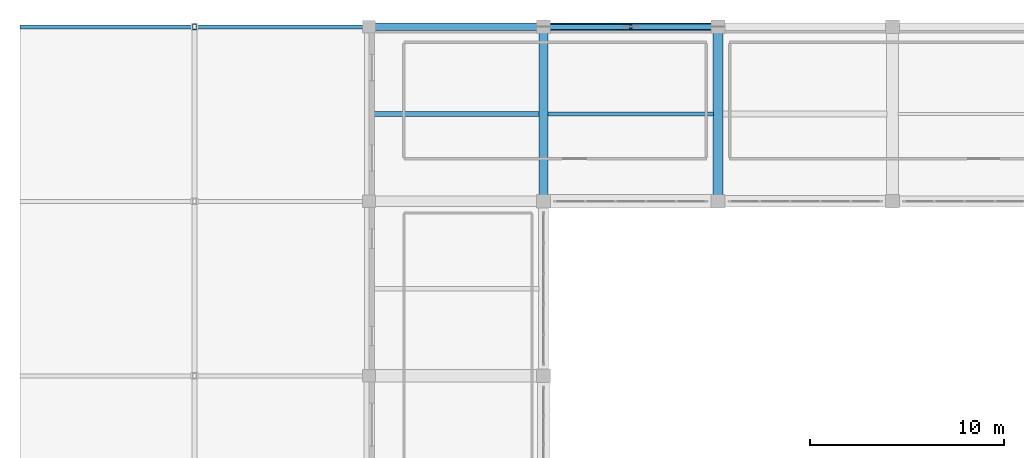
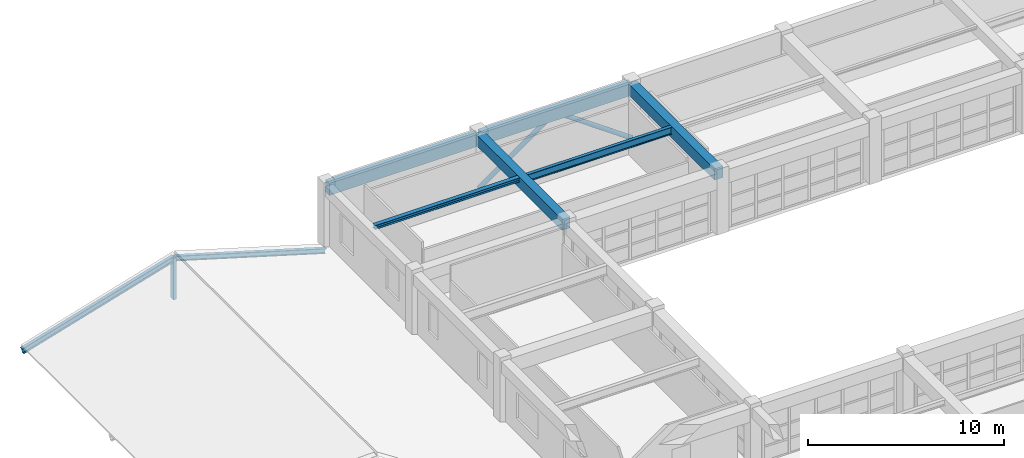
# One storey, part 62 of 130: 6 beams, 5 members.
"""IFC4 building model written with IfcOpenShell, lengths in metres."""

from ifc_helpers import new_model, si_unit, direction, frame, origin, origin_2d, place, context, subcontext, project, spatial, rectangle, hollow_rectangle, hollow_circle, i_section, extrude, material, material_profile, profile_set, type_object, element, save


model = new_model("IFC4")

# Units and contexts
model_context = context("Model", 3, precision=1e-05, world=origin(), true_north=direction((0.0, 1.0)))
body_context = subcontext(model_context, "Body", "Model", "MODEL_VIEW")
ifc_project = project(units=[si_unit("LENGTHUNIT", "METRE"), si_unit("AREAUNIT", "SQUARE_METRE"), si_unit("VOLUMEUNIT", "CUBIC_METRE"), si_unit("PLANEANGLEUNIT", "RADIAN"), si_unit("MASSUNIT", "GRAM", prefix="KILO")], contexts=[model_context])

# Site, building, storey
site_placement = place(None, origin())
site = spatial("IfcSite", under=ifc_project, at=site_placement, CompositionType="ELEMENT")
building_placement = place(site_placement, origin())
building = spatial("IfcBuilding", under=site, at=building_placement, Name="Miravela Opera House", CompositionType="ELEMENT")
storey_placement = place(building_placement, frame((0.0, 0.0, 9.52001953125)))
storey = spatial("IfcBuildingStorey", under=building, at=storey_placement, Name="L02", CompositionType="ELEMENT", Elevation=9.52001953125)

# Beams
ifc_material_1 = material(Name="Concrete C35/45", Category="concrete")
ifc_material_profile_1 = material_profile(ifc_material_1, rectangle(XDim=0.47998046875, YDim=0.679931640625, at=origin_2d()), Name="RC-BM-480X680")
ifc_profile_set_1 = profile_set([ifc_material_profile_1])
beam_type_1 = type_object("IfcBeamType", Name="STR-BM-RC480X680", PredefinedType="BEAM", material=ifc_profile_set_1)
beam_1_placement = place(storey_placement, frame((27.0, 103.080078125, 3.5), z_axis=(0.0, 1.0, 0.0), x_axis=(-1.0, 0.0, 0.0)))
element("IfcBeam", 1, at=beam_1_placement, inside=storey, type_object=beam_type_1, Name="Floor Girder L02 4/L-M", PredefinedType="BEAM", context=body_context, shape_type="SweptSolid", body=[
    extrude(rectangle(XDim=0.47998046875, YDim=0.679931640625, at=origin_2d()), origin(), (0.0, 0.0, 1.0), 8.83984375),
])
ifc_material_profile_2 = material_profile(ifc_material_1, rectangle(XDim=0.5, YDim=0.699951171875, at=origin_2d()), Name="RC-BM-500X700")
ifc_profile_set_2 = profile_set([ifc_material_profile_2])
beam_type_2 = type_object("IfcBeamType", Name="STR-BM-RC500X700", PredefinedType="BEAM", material=ifc_profile_set_2)
beam_2_placement = place(storey_placement, frame((36.0, 103.080078125, 3.489990234375), z_axis=(0.0, 1.0, 0.0), x_axis=(-1.0, 0.0, 0.0)))
element("IfcBeam", 2, at=beam_2_placement, inside=storey, type_object=beam_type_2, Name="Floor Girder L02 5/L-M", PredefinedType="BEAM", context=body_context, shape_type="SweptSolid", body=[
    extrude(rectangle(XDim=0.5, YDim=0.699951171875, at=origin_2d()), origin(), (0.0, 0.0, 1.0), 8.83984375),
])
ifc_material_2 = material(Name="Structural steel ASTM A992 Gr. 50", Category="steel")
ifc_material_profile_3 = material_profile(ifc_material_2, i_section(OverallWidth=0.25390625, OverallDepth=0.2529296875, WebThickness=0.008544921875, FlangeThickness=0.01416015625, FilletRadius=0.011962890625, at=origin_2d()), Name="W250X73")
ifc_profile_set_3 = profile_set([ifc_material_profile_3])
beam_type_3 = type_object("IfcBeamType", Name="STR-BM-W250X73", PredefinedType="JOIST", material=ifc_profile_set_3)
beam_3_placement = place(storey_placement, frame((18.2099609375, 107.5, 3.71337890625), z_axis=(1.0, 0.0, 0.0), x_axis=(0.0, 1.0, 0.0)))
element("IfcBeam", 3, at=beam_3_placement, inside=storey, type_object=beam_type_3, Name="Secondary Floor Joist L02 3-4/L-M", PredefinedType="JOIST", context=body_context, shape_type="SweptSolid", body=[
    extrude(i_section(OverallWidth=0.25390625, OverallDepth=0.2529296875, WebThickness=0.008544921875, FlangeThickness=0.01416015625, FilletRadius=0.011962890625, at=origin_2d()), origin(), (0.0, 0.0, 1.0), 8.56494140625),
])
ifc_material_profile_4 = material_profile(ifc_material_2, i_section(OverallWidth=0.19091796875, OverallDepth=0.4599609375, WebThickness=0.010009765625, FlangeThickness=0.01611328125, FilletRadius=0.014892578125, at=origin_2d()), Name="W460X82")
ifc_profile_set_4 = profile_set([ifc_material_profile_4])
beam_type_4 = type_object("IfcBeamType", Name="STR-BM-W460X82", PredefinedType="JOIST", material=ifc_profile_set_4)
beam_4_placement = place(storey_placement, frame((27.22509765625, 107.5, 3.60986328125), z_axis=(1.0, 0.0, 0.0), x_axis=(0.0, 1.0, 0.0)))
element("IfcBeam", 4, at=beam_4_placement, inside=storey, type_object=beam_type_4, Name="Secondary Floor Joist L02 4-5/L-M", PredefinedType="JOIST", context=body_context, shape_type="SweptSolid", body=[
    extrude(i_section(OverallWidth=0.19091796875, OverallDepth=0.4599609375, WebThickness=0.010009765625, FlangeThickness=0.01611328125, FilletRadius=0.014892578125, at=origin_2d()), origin(), (0.0, 0.0, 1.0), 8.539794921875),
])

# Members
ifc_material_3 = material(Name="Hollow structural steel ASTM A500 Gr. C", Category="steel")
ifc_material_profile_5 = material_profile(ifc_material_3, hollow_circle(Radius=0.136474609375, WallThickness=0.010009765625, at=origin_2d()), Name="CHS273X10")
ifc_profile_set_5 = profile_set([ifc_material_profile_5])
member_type_1 = type_object("IfcMemberType", Name="STR-MEM-FRAME-BR2", PredefinedType="BRACE", material=ifc_profile_set_5)
for number, where, z_axis, x_axis, name in (
    (5, (27.0, 112.0, 0.300048828125), (0.81581566002, 0.0, 0.57831203417), (0.0, 1.0, 0.0), "Concentric Braced Frame BF-N1 L02 Left Brace"),
    (6, (36.0, 112.0, 0.300048828125), (-0.81581566002, 0.0, 0.57831203417), (0.0, -1.0, 0.0), "Concentric Braced Frame BF-N1 L02 Right Brace"),
):
    element("IfcMember", number, at=place(storey_placement, frame(where, z_axis=z_axis, x_axis=x_axis)), inside=storey, type_object=member_type_1, Name=name, PredefinedType="BRACE", context=body_context, shape_type="SweptSolid", body=[
        extrude(hollow_circle(Radius=0.136474609375, WallThickness=0.010009765625, at=origin_2d()), origin(), (0.0, 0.0, 1.0), 5.515869140625),
    ])
ifc_material_profile_6 = material_profile(ifc_material_3, hollow_rectangle(XDim=0.199951171875, YDim=0.300048828125, WallThickness=0.011962890625, InnerFilletRadius=0.011962890625, OuterFilletRadius=0.02392578125, at=origin_2d()), Name="HSS300X200X12")
ifc_profile_set_6 = profile_set([ifc_material_profile_6])
member_type_2 = type_object("IfcMemberType", Name="STR-MEM-POST-HSS300X200", PredefinedType="POST", material=ifc_profile_set_6)
member_1_placement = place(storey_placement, frame((9.0, 112.0, -0.25), z_axis=(0.0, 0.0, 1.0), x_axis=(1.0, 0.0, 0.0)))
element("IfcMember", 7, at=member_1_placement, inside=storey, type_object=member_type_2, Name="Roof Gable King Post ROOF-V5-NORTH N", PredefinedType="POST", context=body_context, shape_type="SweptSolid", body=[
    extrude(hollow_rectangle(XDim=0.199951171875, YDim=0.300048828125, WallThickness=0.011962890625, InnerFilletRadius=0.011962890625, OuterFilletRadius=0.02392578125, at=origin_2d()), origin(), (0.0, 0.0, 1.0), 2.570068359375),
])
ifc_material_profile_7 = material_profile(ifc_material_2, i_section(OverallWidth=0.2041015625, OverallDepth=0.35009765625, WebThickness=0.008544921875, FlangeThickness=0.01513671875, FilletRadius=0.013916015625, at=origin_2d()), Name="W360X72")
ifc_profile_set_7 = profile_set([ifc_material_profile_7])
member_type_3 = type_object("IfcMemberType", Name="STR-MEM-RAFTER-1", PredefinedType="RAFTER", material=ifc_profile_set_7)
member_2_placement = place(storey_placement, frame((0.050048828125, 112.0, -0.39990234375), z_axis=(0.958562219619, 0.0, 0.284883258756), x_axis=(0.0, 1.0, 0.0)))
element("IfcMember", 8, at=member_2_placement, inside=storey, type_object=member_type_3, Name="Pitched Roof Rafter ROOF-V5-NORTH W3", PredefinedType="RAFTER", context=body_context, shape_type="SweptSolid", body=[
    extrude(i_section(OverallWidth=0.2041015625, OverallDepth=0.35009765625, WebThickness=0.008544921875, FlangeThickness=0.01513671875, FilletRadius=0.013916015625, at=origin_2d()), origin(), (0.0, 0.0, 1.0), 9.3369140625),
])
ifc_material_profile_8 = material_profile(ifc_material_2, i_section(OverallWidth=0.202880859375, OverallDepth=0.302978515625, WebThickness=0.007568359375, FlangeThickness=0.01318359375, FilletRadius=0.012939453125, at=origin_2d()), Name="W310X60")
ifc_profile_set_8 = profile_set([ifc_material_profile_8])
member_type_4 = type_object("IfcMemberType", Name="STR-MEM-RAFTER-2", PredefinedType="RAFTER", material=ifc_profile_set_8)
member_3_placement = place(storey_placement, frame((17.949951171875, 112.0, -0.39990234375), z_axis=(-0.958562219619, 0.0, 0.284883258756), x_axis=(0.0, -1.0, 0.0)))
element("IfcMember", 9, at=member_3_placement, inside=storey, type_object=member_type_4, Name="Pitched Roof Rafter ROOF-V5-NORTH E3", PredefinedType="RAFTER", context=body_context, shape_type="SweptSolid", body=[
    extrude(i_section(OverallWidth=0.202880859375, OverallDepth=0.302978515625, WebThickness=0.007568359375, FlangeThickness=0.01318359375, FilletRadius=0.012939453125, at=origin_2d()), origin(), (0.0, 0.0, 1.0), 9.3369140625),
])

# Beams
ifc_material_profile_9 = material_profile(ifc_material_1, rectangle(XDim=0.39990234375, YDim=0.75, at=origin_2d()), Name="RC-SPN-400X750")
ifc_profile_set_9 = profile_set([ifc_material_profile_9])
beam_type_5 = type_object("IfcBeamType", Name="STR-SPN-RC400X750", PredefinedType="SPANDREL", material=ifc_profile_set_9)
for number, where, z_axis, x_axis, name in (
    (10, (18.080078125, 112.0, 3.465087890625), (1.0, 0.0, 0.0), (0.0, 1.0, 0.0), "Floor Girder L02 3-4/M"),
    (11, (27.080078125, 112.0, 3.465087890625), (1.0, 0.0, 0.0), (0.0, 1.0, 0.0), "Floor Girder L02 4-5/M"),
):
    element("IfcBeam", number, at=place(storey_placement, frame(where, z_axis=z_axis, x_axis=x_axis)), inside=storey, type_object=beam_type_5, Name=name, PredefinedType="SPANDREL", context=body_context, shape_type="SweptSolid", body=[
        extrude(rectangle(XDim=0.39990234375, YDim=0.75, at=origin_2d()), origin(), (0.0, 0.0, 1.0), 8.83984375),
    ])

save(model, "model.ifc")
